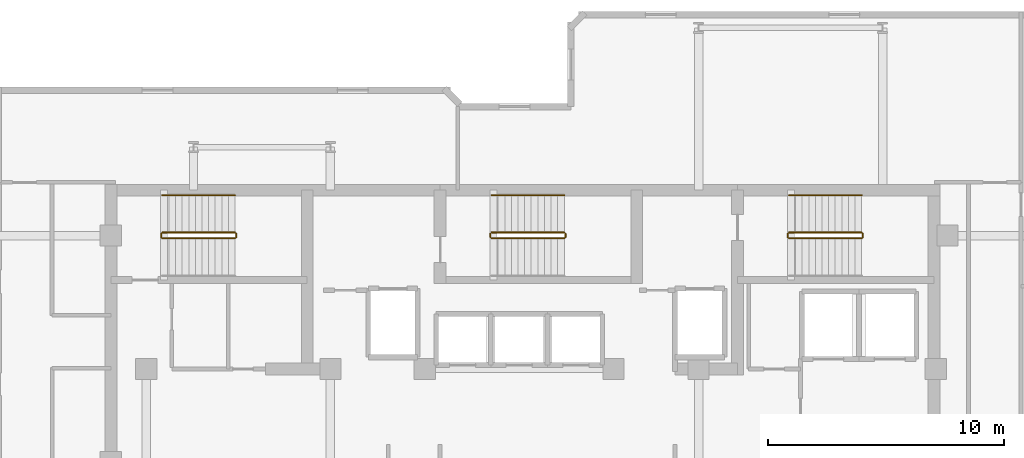
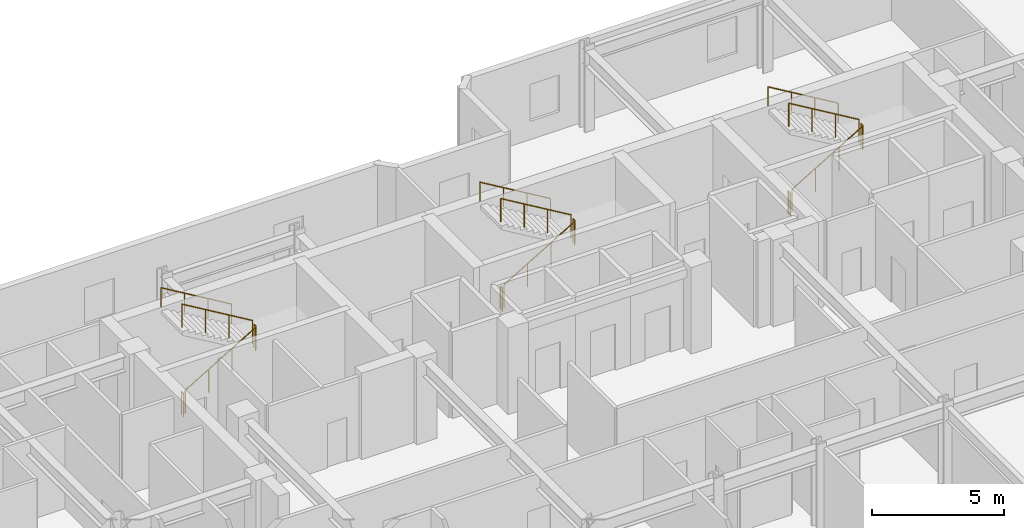
# One storey, part 10 of 10: 15 railings.
"""IFC4 building model written with IfcOpenShell, lengths in metres."""

from ifc_helpers import new_model, si_unit, direction, frame, origin, origin_2d, place, context, subcontext, project, spatial, circle, extrude, material, type_object, element, save


model = new_model("IFC4")

# Units and contexts
model_context = context("Model", 3, precision=1e-05, world=origin(), true_north=direction((0.0, 1.0)))
body_context = subcontext(model_context, "Body", "Model", "MODEL_VIEW")
ifc_project = project(units=[si_unit("LENGTHUNIT", "METRE"), si_unit("AREAUNIT", "SQUARE_METRE"), si_unit("VOLUMEUNIT", "CUBIC_METRE"), si_unit("PLANEANGLEUNIT", "RADIAN"), si_unit("MASSUNIT", "GRAM", prefix="KILO")], contexts=[model_context])

# Site, building, storey
site_placement = place(None, origin())
site = spatial("IfcSite", under=ifc_project, at=site_placement, CompositionType="ELEMENT")
building_placement = place(site_placement, origin())
building = spatial("IfcBuilding", under=site, at=building_placement, Name="Kestravale Grand Hotel", CompositionType="ELEMENT")
storey_placement = place(building_placement, frame((0.0, 0.0, 285.39990234375)))
storey = spatial("IfcBuildingStorey", under=building, at=storey_placement, Name="L71", CompositionType="ELEMENT", Elevation=285.39990234375)

# Railings
ifc_material_1 = material(Name="Painted tubular steel stair well guard", Category="steel")
railing_type_1 = type_object("IfcRailingType", Name="RL-ST-GRD1100", PredefinedType="GUARDRAIL", material=ifc_material_1)
railing_1_placement = place(storey_placement, frame((24.080078125, 38.280029296875, 0.166748046875)))
element("IfcRailing", 1, at=railing_1_placement, inside=storey, type_object=railing_type_1, Name="L71 ST-1 stair guard 1", PredefinedType="GUARDRAIL", context=body_context, shape_type="SweptSolid", body=[
    extrude(circle(Radius=0.02392578125, at=origin_2d()), frame((0.0, 0.0, 1.076171875), z_axis=(0.859290745958, 0.0, 0.51148745235), x_axis=(0.0, 1.0, 0.0)), (0.0, 0.0, 1.0), 3.584228515625),
    extrude(circle(Radius=0.02099609375, at=origin_2d()), origin(), (0.0, 0.0, 1.0), 1.052001953125),
    extrude(circle(Radius=0.02099609375, at=origin_2d()), frame((1.026611328125, 0.0, 0.611083984375)), (0.0, 0.0, 1.0), 1.052001953125),
    extrude(circle(Radius=0.02099609375, at=origin_2d()), frame((2.05322265625, 0.0, 1.22216796875)), (0.0, 0.0, 1.0), 1.052001953125),
    extrude(circle(Radius=0.02099609375, at=origin_2d()), frame((3.079833984375, 0.0, 1.833251953125)), (0.0, 0.0, 1.0), 1.052001953125),
])
railing_2_placement = place(storey_placement, frame((27.2099609375, 38.330078125, 2.0)))
element("IfcRailing", 2, at=railing_2_placement, inside=storey, type_object=railing_type_1, Name="L71 ST-1 stair guard 2", PredefinedType="GUARDRAIL", context=body_context, shape_type="SweptSolid", body=[
    extrude(circle(Radius=0.02392578125, at=origin_2d()), frame((0.0, 0.0, 1.076171875), z_axis=(0.0, 1.0, 0.0), x_axis=(-1.0, 0.0, 0.0)), (0.0, 0.0, 1.0), 0.14990234375),
    extrude(circle(Radius=0.02099609375, at=origin_2d()), origin(), (0.0, 0.0, 1.0), 1.052001953125),
    extrude(circle(Radius=0.02099609375, at=origin_2d()), frame((0.0, 0.14990234375, 0.0)), (0.0, 0.0, 1.0), 1.052001953125),
])
railing_3_placement = place(storey_placement, frame((27.159912109375, 38.530029296875, 2.166748046875)))
element("IfcRailing", 3, at=railing_3_placement, inside=storey, type_object=railing_type_1, Name="L71 ST-1 stair guard 3", PredefinedType="GUARDRAIL", context=body_context, shape_type="SweptSolid", body=[
    extrude(circle(Radius=0.02392578125, at=origin_2d()), frame((0.0, 0.0, 1.076171875), z_axis=(-0.859290745958, 0.0, 0.51148745235), x_axis=(0.0, -1.0, 0.0)), (0.0, 0.0, 1.0), 3.584228515625),
    extrude(circle(Radius=0.02099609375, at=origin_2d()), origin(), (0.0, 0.0, 1.0), 1.052001953125),
    extrude(circle(Radius=0.02099609375, at=origin_2d()), frame((-1.026611328125, 0.0, 0.611083984375)), (0.0, 0.0, 1.0), 1.052001953125),
    extrude(circle(Radius=0.02099609375, at=origin_2d()), frame((-2.05322265625, 0.0, 1.22216796875)), (0.0, 0.0, 1.0), 1.052001953125),
    extrude(circle(Radius=0.02099609375, at=origin_2d()), frame((-3.079833984375, 0.0, 1.833251953125)), (0.0, 0.0, 1.0), 1.052001953125),
])
railing_4_placement = place(storey_placement, frame((24.030029296875, 38.330078125, 0.0)))
element("IfcRailing", 4, at=railing_4_placement, inside=storey, type_object=railing_type_1, Name="L71 ST-1 stair guard 4", PredefinedType="GUARDRAIL", context=body_context, shape_type="SweptSolid", body=[
    extrude(circle(Radius=0.02392578125, at=origin_2d()), frame((0.0, 0.0, 1.076171875), z_axis=(0.0, 1.0, 0.0), x_axis=(-1.0, 0.0, 0.0)), (0.0, 0.0, 1.0), 0.14990234375),
    extrude(circle(Radius=0.02099609375, at=origin_2d()), origin(), (0.0, 0.0, 1.0), 1.052001953125),
    extrude(circle(Radius=0.02099609375, at=origin_2d()), frame((0.0, 0.14990234375, 0.0)), (0.0, 0.0, 1.0), 1.052001953125),
])
railing_5_placement = place(storey_placement, frame((38.030029296875, 38.280029296875, 0.166748046875)))
element("IfcRailing", 5, at=railing_5_placement, inside=storey, type_object=railing_type_1, Name="L71 ST-2 stair guard 1", PredefinedType="GUARDRAIL", context=body_context, shape_type="SweptSolid", body=[
    extrude(circle(Radius=0.02392578125, at=origin_2d()), frame((0.0, 0.0, 1.076171875), z_axis=(0.859308565015, 0.0, 0.511457515432), x_axis=(0.0, 1.0, 0.0)), (0.0, 0.0, 1.0), 3.58447265625),
    extrude(circle(Radius=0.02099609375, at=origin_2d()), origin(), (0.0, 0.0, 1.0), 1.052001953125),
    extrude(circle(Radius=0.02099609375, at=origin_2d()), frame((1.026611328125, 0.0, 0.611083984375)), (0.0, 0.0, 1.0), 1.052001953125),
    extrude(circle(Radius=0.02099609375, at=origin_2d()), frame((2.053466796875, 0.0, 1.22216796875)), (0.0, 0.0, 1.0), 1.052001953125),
    extrude(circle(Radius=0.02099609375, at=origin_2d()), frame((3.080078125, 0.0, 1.833251953125)), (0.0, 0.0, 1.0), 1.052001953125),
])
railing_6_placement = place(storey_placement, frame((41.159912109375, 38.330078125, 2.0)))
element("IfcRailing", 6, at=railing_6_placement, inside=storey, type_object=railing_type_1, Name="L71 ST-2 stair guard 2", PredefinedType="GUARDRAIL", context=body_context, shape_type="SweptSolid", body=[
    extrude(circle(Radius=0.02392578125, at=origin_2d()), frame((0.0, 0.0, 1.076171875), z_axis=(0.0, 1.0, 0.0), x_axis=(-1.0, 0.0, 0.0)), (0.0, 0.0, 1.0), 0.14990234375),
    extrude(circle(Radius=0.02099609375, at=origin_2d()), origin(), (0.0, 0.0, 1.0), 1.052001953125),
    extrude(circle(Radius=0.02099609375, at=origin_2d()), frame((0.0, 0.14990234375, 0.0)), (0.0, 0.0, 1.0), 1.052001953125),
])
railing_7_placement = place(storey_placement, frame((41.110107421875, 38.530029296875, 2.166748046875)))
element("IfcRailing", 7, at=railing_7_placement, inside=storey, type_object=railing_type_1, Name="L71 ST-2 stair guard 3", PredefinedType="GUARDRAIL", context=body_context, shape_type="SweptSolid", body=[
    extrude(circle(Radius=0.02392578125, at=origin_2d()), frame((0.0, 0.0, 1.076171875), z_axis=(-0.859308565015, 0.0, 0.511457515432), x_axis=(0.0, -1.0, 0.0)), (0.0, 0.0, 1.0), 3.58447265625),
    extrude(circle(Radius=0.02099609375, at=origin_2d()), origin(), (0.0, 0.0, 1.0), 1.052001953125),
    extrude(circle(Radius=0.02099609375, at=origin_2d()), frame((-1.026611328125, 0.0, 0.611083984375)), (0.0, 0.0, 1.0), 1.052001953125),
    extrude(circle(Radius=0.02099609375, at=origin_2d()), frame((-2.053466796875, 0.0, 1.22216796875)), (0.0, 0.0, 1.0), 1.052001953125),
    extrude(circle(Radius=0.02099609375, at=origin_2d()), frame((-3.080078125, 0.0, 1.833251953125)), (0.0, 0.0, 1.0), 1.052001953125),
])
railing_8_placement = place(storey_placement, frame((37.97998046875, 38.330078125, 0.0)))
element("IfcRailing", 8, at=railing_8_placement, inside=storey, type_object=railing_type_1, Name="L71 ST-2 stair guard 4", PredefinedType="GUARDRAIL", context=body_context, shape_type="SweptSolid", body=[
    extrude(circle(Radius=0.02392578125, at=origin_2d()), frame((0.0, 0.0, 1.076171875), z_axis=(0.0, 1.0, 0.0), x_axis=(-1.0, 0.0, 0.0)), (0.0, 0.0, 1.0), 0.14990234375),
    extrude(circle(Radius=0.02099609375, at=origin_2d()), origin(), (0.0, 0.0, 1.0), 1.052001953125),
    extrude(circle(Radius=0.02099609375, at=origin_2d()), frame((0.0, 0.14990234375, 0.0)), (0.0, 0.0, 1.0), 1.052001953125),
])
railing_9_placement = place(storey_placement, frame((50.6298828125, 38.280029296875, 0.166748046875)))
element("IfcRailing", 9, at=railing_9_placement, inside=storey, type_object=railing_type_1, Name="L71 ST-3 stair guard 1", PredefinedType="GUARDRAIL", context=body_context, shape_type="SweptSolid", body=[
    extrude(circle(Radius=0.02392578125, at=origin_2d()), frame((0.0, 0.0, 1.076171875), z_axis=(0.859308565015, 0.0, 0.511457515432), x_axis=(0.0, 1.0, 0.0)), (0.0, 0.0, 1.0), 3.58447265625),
    extrude(circle(Radius=0.02099609375, at=origin_2d()), origin(), (0.0, 0.0, 1.0), 1.052001953125),
    extrude(circle(Radius=0.02099609375, at=origin_2d()), frame((1.026611328125, 0.0, 0.611083984375)), (0.0, 0.0, 1.0), 1.052001953125),
    extrude(circle(Radius=0.02099609375, at=origin_2d()), frame((2.053466796875, 0.0, 1.22216796875)), (0.0, 0.0, 1.0), 1.052001953125),
    extrude(circle(Radius=0.02099609375, at=origin_2d()), frame((3.080078125, 0.0, 1.833251953125)), (0.0, 0.0, 1.0), 1.052001953125),
])
railing_10_placement = place(storey_placement, frame((53.760009765625, 38.330078125, 2.0)))
element("IfcRailing", 10, at=railing_10_placement, inside=storey, type_object=railing_type_1, Name="L71 ST-3 stair guard 2", PredefinedType="GUARDRAIL", context=body_context, shape_type="SweptSolid", body=[
    extrude(circle(Radius=0.02392578125, at=origin_2d()), frame((0.0, 0.0, 1.076171875), z_axis=(0.0, 1.0, 0.0), x_axis=(-1.0, 0.0, 0.0)), (0.0, 0.0, 1.0), 0.14990234375),
    extrude(circle(Radius=0.02099609375, at=origin_2d()), origin(), (0.0, 0.0, 1.0), 1.052001953125),
    extrude(circle(Radius=0.02099609375, at=origin_2d()), frame((0.0, 0.14990234375, 0.0)), (0.0, 0.0, 1.0), 1.052001953125),
])
railing_11_placement = place(storey_placement, frame((53.7099609375, 38.530029296875, 2.166748046875)))
element("IfcRailing", 11, at=railing_11_placement, inside=storey, type_object=railing_type_1, Name="L71 ST-3 stair guard 3", PredefinedType="GUARDRAIL", context=body_context, shape_type="SweptSolid", body=[
    extrude(circle(Radius=0.02392578125, at=origin_2d()), frame((0.0, 0.0, 1.076171875), z_axis=(-0.859308565015, 0.0, 0.511457515432), x_axis=(0.0, -1.0, 0.0)), (0.0, 0.0, 1.0), 3.58447265625),
    extrude(circle(Radius=0.02099609375, at=origin_2d()), origin(), (0.0, 0.0, 1.0), 1.052001953125),
    extrude(circle(Radius=0.02099609375, at=origin_2d()), frame((-1.026611328125, 0.0, 0.611083984375)), (0.0, 0.0, 1.0), 1.052001953125),
    extrude(circle(Radius=0.02099609375, at=origin_2d()), frame((-2.053466796875, 0.0, 1.22216796875)), (0.0, 0.0, 1.0), 1.052001953125),
    extrude(circle(Radius=0.02099609375, at=origin_2d()), frame((-3.080078125, 0.0, 1.833251953125)), (0.0, 0.0, 1.0), 1.052001953125),
])
railing_12_placement = place(storey_placement, frame((50.580078125, 38.330078125, 0.0)))
element("IfcRailing", 12, at=railing_12_placement, inside=storey, type_object=railing_type_1, Name="L71 ST-3 stair guard 4", PredefinedType="GUARDRAIL", context=body_context, shape_type="SweptSolid", body=[
    extrude(circle(Radius=0.02392578125, at=origin_2d()), frame((0.0, 0.0, 1.076171875), z_axis=(0.0, 1.0, 0.0), x_axis=(-1.0, 0.0, 0.0)), (0.0, 0.0, 1.0), 0.14990234375),
    extrude(circle(Radius=0.02099609375, at=origin_2d()), origin(), (0.0, 0.0, 1.0), 1.052001953125),
    extrude(circle(Radius=0.02099609375, at=origin_2d()), frame((0.0, 0.14990234375, 0.0)), (0.0, 0.0, 1.0), 1.052001953125),
])
ifc_material_2 = material(Name="Brushed stainless steel wall handrail", Category="steel")
railing_type_2 = type_object("IfcRailingType", Name="RL-ST-HND900", PredefinedType="HANDRAIL", material=ifc_material_2)
railing_13_placement = place(storey_placement, frame((27.159912109375, 40.110107421875, 2.166748046875)))
element("IfcRailing", 13, at=railing_13_placement, inside=storey, type_object=railing_type_2, Name="L71 ST-1 stair handrail 2", PredefinedType="HANDRAIL", context=body_context, shape_type="SweptSolid", body=[
    extrude(circle(Radius=0.02392578125, at=origin_2d()), frame((0.0, 0.0, 0.8759765625), z_axis=(-0.859290745958, 0.0, 0.51148745235), x_axis=(0.0, -1.0, 0.0)), (0.0, 0.0, 1.0), 3.584228515625),
    extrude(circle(Radius=0.02099609375, at=origin_2d()), origin(), (0.0, 0.0, 1.0), 0.851806640625),
    extrude(circle(Radius=0.02099609375, at=origin_2d()), frame((-1.026611328125, 0.0, 0.611083984375)), (0.0, 0.0, 1.0), 0.851806640625),
    extrude(circle(Radius=0.02099609375, at=origin_2d()), frame((-2.05322265625, 0.0, 1.22216796875)), (0.0, 0.0, 1.0), 0.851806640625),
    extrude(circle(Radius=0.02099609375, at=origin_2d()), frame((-3.079833984375, 0.0, 1.833251953125)), (0.0, 0.0, 1.0), 0.851806640625),
])
for number, where, name in (
    (14, (41.110107421875, 40.110107421875, 2.166748046875), "L71 ST-2 stair handrail 2"),
    (15, (53.7099609375, 40.110107421875, 2.166748046875), "L71 ST-3 stair handrail 2"),
):
    element("IfcRailing", number, at=place(storey_placement, frame(where)), inside=storey, type_object=railing_type_2, Name=name, PredefinedType="HANDRAIL", context=body_context, shape_type="SweptSolid", body=[
        extrude(circle(Radius=0.02392578125, at=origin_2d()), frame((0.0, 0.0, 0.8759765625), z_axis=(-0.859308565015, 0.0, 0.511457515432), x_axis=(0.0, -1.0, 0.0)), (0.0, 0.0, 1.0), 3.58447265625),
        extrude(circle(Radius=0.02099609375, at=origin_2d()), origin(), (0.0, 0.0, 1.0), 0.851806640625),
        extrude(circle(Radius=0.02099609375, at=origin_2d()), frame((-1.026611328125, 0.0, 0.611083984375)), (0.0, 0.0, 1.0), 0.851806640625),
        extrude(circle(Radius=0.02099609375, at=origin_2d()), frame((-2.053466796875, 0.0, 1.22216796875)), (0.0, 0.0, 1.0), 0.851806640625),
        extrude(circle(Radius=0.02099609375, at=origin_2d()), frame((-3.080078125, 0.0, 1.833251953125)), (0.0, 0.0, 1.0), 0.851806640625),
    ])

save(model, "model.ifc")
